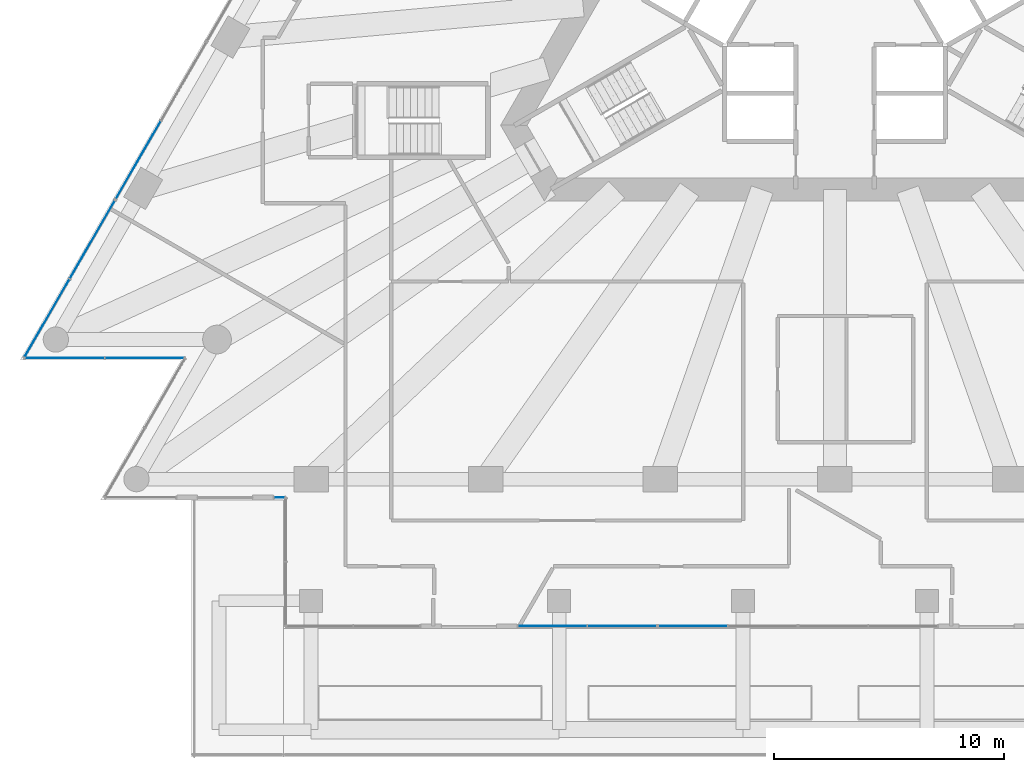
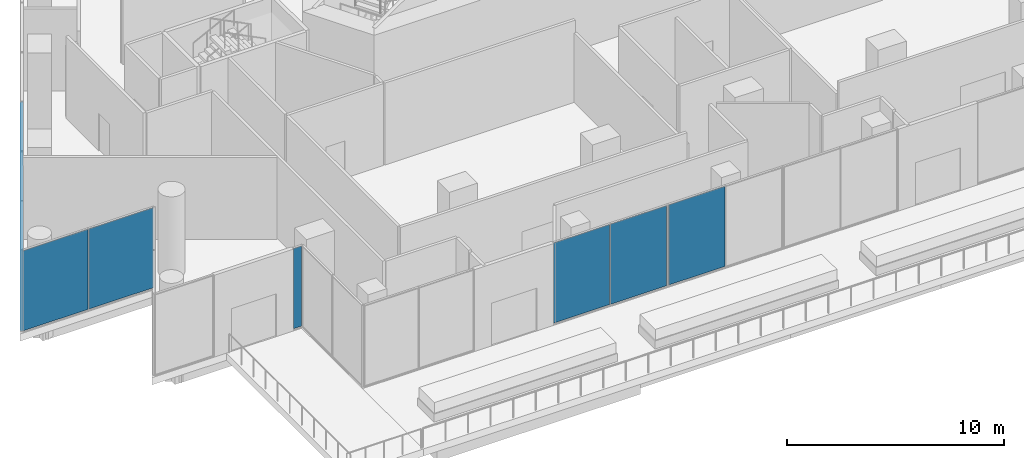
# One storey, part 21 of 32: 9 plates, 6 elements without a shape of their own.
"""IFC4 building model written with IfcOpenShell, lengths in metres."""

from ifc_helpers import new_model, si_unit, direction, frame, origin, origin_2d, place, context, subcontext, project, spatial, rectangle, extrude, material, layer, layer_set, type_object, element, aggregate, save


model = new_model("IFC4")

# Units and contexts
model_context = context("Model", 3, precision=1e-05, world=origin(), true_north=direction((0.0, 1.0)))
body_context = subcontext(model_context, "Body", "Model", "MODEL_VIEW")
ifc_project = project(units=[si_unit("LENGTHUNIT", "METRE"), si_unit("AREAUNIT", "SQUARE_METRE"), si_unit("VOLUMEUNIT", "CUBIC_METRE"), si_unit("PLANEANGLEUNIT", "RADIAN"), si_unit("MASSUNIT", "GRAM", prefix="KILO")], contexts=[model_context])

# Site, building, storey
site_placement = place(None, origin())
site = spatial("IfcSite", under=ifc_project, at=site_placement, CompositionType="ELEMENT")
building_placement = place(site_placement, origin())
building = spatial("IfcBuilding", under=site, at=building_placement, Name="Triada Interchange Tower", CompositionType="ELEMENT")
storey_placement = place(building_placement, frame((0.0, 0.0, 25.300048828125)))
storey = spatial("IfcBuildingStorey", under=building, at=storey_placement, Name="L04", CompositionType="ELEMENT", Elevation=25.300048828125)

# Curtain wall, plates
ifc_material_1 = material(Name="Aluminium framed glazing", Category="aluminium")
ifc_layer_1 = layer(ifc_material_1, 0.199951171875)
ifc_layer_set_1 = layer_set([ifc_layer_1], Name="Curtain wall Winter garden glazing")
curtain_wall_type = type_object("IfcCurtainWallType", Name="Curtain wall Winter garden glazing", PredefinedType="NOTDEFINED", material=ifc_layer_set_1)
curtain_wall_1_placement = place(storey_placement, origin())
curtain_wall_1 = element("IfcCurtainWall", 1, at=curtain_wall_1_placement, inside=storey, type_object=curtain_wall_type, Name="Winter garden glazing CW002 L04", PredefinedType="NOTDEFINED")
ifc_material_2 = material(Name="Insulated glazing unit", Category="glass")
ifc_layer_2 = layer(ifc_material_2, 0.02392578125)
ifc_layer_set_2 = layer_set([ifc_layer_2], Name="Glazing panel Winter garden glazing 24")
plate_type = type_object("IfcPlateType", Name="Glazing panel Winter garden glazing 24", PredefinedType="CURTAIN_PANEL", material=ifc_layer_set_2)
plate_1_placement = place(storey_placement, frame((-12.2939453125, -28.0, 0.050048828125), z_axis=(0.0, 0.0, 1.0), x_axis=(1.0, 0.0, 0.0)))
plate_1 = element("IfcPlate", 2, at=plate_1_placement, type_object=plate_type, Name="CW002 panel 1.1", PredefinedType="CURTAIN_PANEL", context=body_context, shape_type="SweptSolid", body=[
    extrude(rectangle(XDim=2.97802734375, YDim=0.02392578125, at=origin_2d()), origin(), (0.0, 0.0, 1.0), 4.5),
])
plate_2_placement = place(storey_placement, frame((-9.26611328125, -28.0, 0.050048828125), z_axis=(0.0, 0.0, 1.0), x_axis=(1.0, 0.0, 0.0)))
plate_2 = element("IfcPlate", 3, at=plate_2_placement, type_object=plate_type, Name="CW002 panel 2.1", PredefinedType="CURTAIN_PANEL", context=body_context, shape_type="SweptSolid", body=[
    extrude(rectangle(XDim=2.97802734375, YDim=0.02392578125, at=origin_2d()), origin(), (0.0, 0.0, 1.0), 4.5),
])
aggregate(curtain_wall_1, [plate_1, plate_2])

# Curtain wall, plate
curtain_wall_2_placement = place(storey_placement, origin())
curtain_wall_2 = element("IfcCurtainWall", 4, at=curtain_wall_2_placement, inside=storey, type_object=curtain_wall_type, Name="Winter garden glazing CW003 L04", PredefinedType="NOTDEFINED")
plate_3_placement = place(storey_placement, frame((-6.17919921875, -28.0, 0.050048828125), z_axis=(0.0, 0.0, 1.0), x_axis=(1.0, 0.0, 0.0)))
plate_3 = element("IfcPlate", 5, at=plate_3_placement, type_object=plate_type, Name="CW003 panel 1.1", PredefinedType="CURTAIN_PANEL", context=body_context, shape_type="SweptSolid", body=[
    extrude(rectangle(XDim=2.9755859375, YDim=0.02392578125, at=origin_2d()), origin(), (0.0, 0.0, 1.0), 4.5),
])
aggregate(curtain_wall_2, [plate_3])

curtain_wall_3_placement = place(storey_placement, origin())
curtain_wall_3 = element("IfcCurtainWall", 6, at=curtain_wall_3_placement, inside=storey, type_object=curtain_wall_type, Name="Winter garden glazing CW028 L04", PredefinedType="NOTDEFINED")
plate_4_placement = place(storey_placement, frame((-30.31689453125, -7.710205078125, 0.050048828125), z_axis=(0.0, 0.0, 1.0), x_axis=(-0.499947913852, -0.866055473648, 0.0)))
plate_4 = element("IfcPlate", 7, at=plate_4_placement, type_object=plate_type, Name="CW028 panel 2.1", PredefinedType="CURTAIN_PANEL", context=body_context, shape_type="SweptSolid", body=[
    extrude(rectangle(XDim=3.892333984375, YDim=0.02392578125, at=origin_2d()), origin(), (0.0, 0.0, 1.0), 4.5),
])
aggregate(curtain_wall_3, [plate_4])

# Curtain wall, plates
curtain_wall_4_placement = place(storey_placement, origin())
curtain_wall_4 = element("IfcCurtainWall", 8, at=curtain_wall_4_placement, inside=storey, type_object=curtain_wall_type, Name="Winter garden glazing CW029 L04", PredefinedType="NOTDEFINED")
plate_5_placement = place(storey_placement, frame((-32.31982421875, -11.177978515625, 0.050048828125), z_axis=(0.0, 0.0, 1.0), x_axis=(-0.499958648825, -0.86604927658, 0.0)))
plate_5 = element("IfcPlate", 9, at=plate_5_placement, type_object=plate_type, Name="CW029 panel 1.1", PredefinedType="CURTAIN_PANEL", context=body_context, shape_type="SweptSolid", body=[
    extrude(rectangle(XDim=3.895263671875, YDim=0.02392578125, at=origin_2d()), origin(), (0.0, 0.0, 1.0), 4.5),
])
plate_6_placement = place(storey_placement, frame((-34.292236328125, -14.594970703125, 0.050048828125), z_axis=(0.0, 0.0, 1.0), x_axis=(-0.499958648825, -0.86604927658, 0.0)))
plate_6 = element("IfcPlate", 10, at=plate_6_placement, type_object=plate_type, Name="CW029 panel 2.1", PredefinedType="CURTAIN_PANEL", context=body_context, shape_type="SweptSolid", body=[
    extrude(rectangle(XDim=3.895263671875, YDim=0.02392578125, at=origin_2d()), origin(), (0.0, 0.0, 1.0), 4.5),
])
aggregate(curtain_wall_4, [plate_5, plate_6])

curtain_wall_5_placement = place(storey_placement, origin())
curtain_wall_5 = element("IfcCurtainWall", 11, at=curtain_wall_5_placement, inside=storey, type_object=curtain_wall_type, Name="Winter garden glazing CW030 L04", PredefinedType="NOTDEFINED")
plate_7_placement = place(storey_placement, frame((-33.524658203125, -16.324951171875, 0.050048828125), z_axis=(0.0, 0.0, 1.0), x_axis=(1.0, 0.0, 0.0)))
plate_7 = element("IfcPlate", 12, at=plate_7_placement, type_object=plate_type, Name="CW030 panel 1.1", PredefinedType="CURTAIN_PANEL", context=body_context, shape_type="SweptSolid", body=[
    extrude(rectangle(XDim=3.4326171875, YDim=0.02392578125, at=origin_2d()), origin(), (0.0, 0.0, 1.0), 4.5),
])
plate_8_placement = place(storey_placement, frame((-30.042236328125, -16.324951171875, 0.050048828125), z_axis=(0.0, 0.0, 1.0), x_axis=(1.0, 0.0, 0.0)))
plate_8 = element("IfcPlate", 13, at=plate_8_placement, type_object=plate_type, Name="CW030 panel 2.1", PredefinedType="CURTAIN_PANEL", context=body_context, shape_type="SweptSolid", body=[
    extrude(rectangle(XDim=3.4326171875, YDim=0.02392578125, at=origin_2d()), origin(), (0.0, 0.0, 1.0), 4.5),
])
aggregate(curtain_wall_5, [plate_7, plate_8])

# Curtain wall, plate
curtain_wall_6_placement = place(storey_placement, origin())
curtain_wall_6 = element("IfcCurtainWall", 14, at=curtain_wall_6_placement, inside=storey, type_object=curtain_wall_type, Name="Winter garden glazing CW033 L04", PredefinedType="NOTDEFINED")
plate_9_placement = place(storey_placement, frame((-24.17041015625, -22.39990234375, 0.050048828125), z_axis=(0.0, 0.0, 1.0), x_axis=(1.0, 0.0, 0.0)))
plate_9 = element("IfcPlate", 15, at=plate_9_placement, type_object=plate_type, Name="CW033 panel 1.1", PredefinedType="CURTAIN_PANEL", context=body_context, shape_type="SweptSolid", body=[
    extrude(rectangle(XDim=0.44091796875, YDim=0.02392578125, at=origin_2d()), origin(), (0.0, 0.0, 1.0), 4.5),
])
aggregate(curtain_wall_6, [plate_9])

save(model, "model.ifc")
